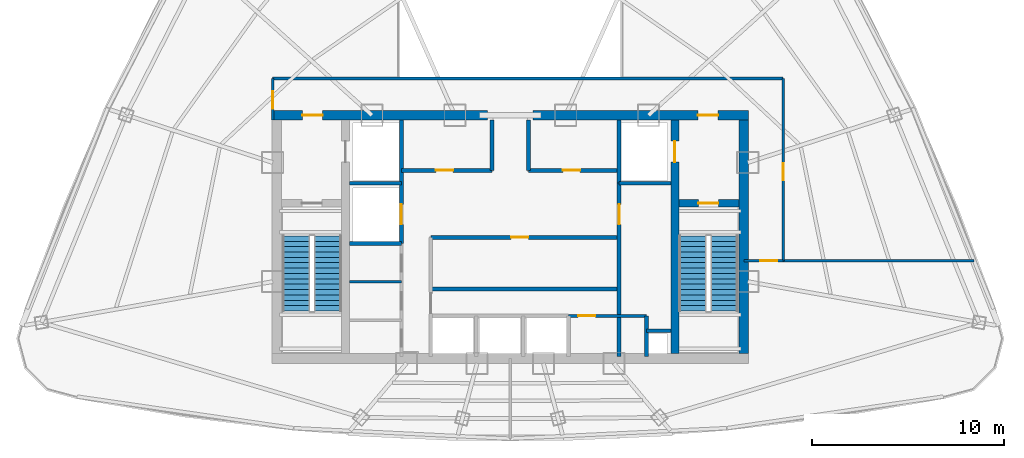
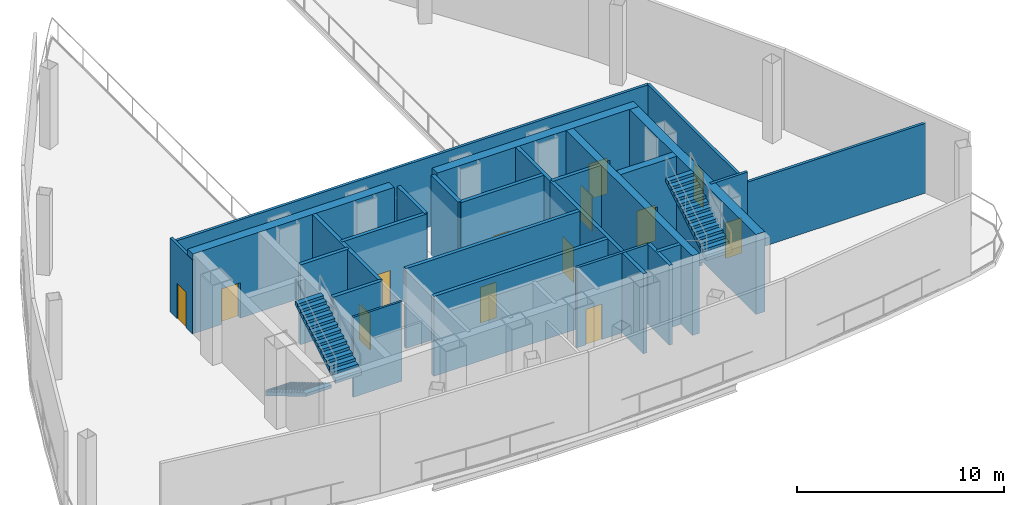
# One storey, part 3 of 6: 26 walls, 13 doors, 4 stair flights, 13 openings, 2 elements without a shape of their own.
"""IFC4 building model written with IfcOpenShell, lengths in metres."""

from ifc_helpers import new_model, si_unit, direction, frame, frame_2d, origin, origin_with_axes, place, context, subcontext, project, spatial, polyline, rectangle, outline, extrude, source, transform, mapped, material, layer, layer_set, type_object, element, fill, aggregate, save


model = new_model("IFC4")

# Units and contexts
model_context = context("Model", 3, precision=1e-05, world=origin(), true_north=direction((0.0, 1.0)))
body_context = subcontext(model_context, "Body", "Model", "MODEL_VIEW")
ifc_project = project(units=[si_unit("LENGTHUNIT", "METRE"), si_unit("AREAUNIT", "SQUARE_METRE"), si_unit("VOLUMEUNIT", "CUBIC_METRE"), si_unit("PLANEANGLEUNIT", "RADIAN"), si_unit("MASSUNIT", "GRAM", prefix="KILO"), si_unit("THERMODYNAMICTEMPERATUREUNIT", "KELVIN"), si_unit("POWERUNIT", "WATT")], contexts=[model_context])

# Site, building, storey
site_placement = place(None, origin())
site = spatial("IfcSite", under=ifc_project, at=site_placement, CompositionType="ELEMENT")
building_placement = place(site_placement, origin())
building = spatial("IfcBuilding", under=site, at=building_placement, Name="Yunzhuo Pagoda Commons", CompositionType="ELEMENT")
storey_placement = place(building_placement, frame((0.0, 0.0, 371.760009765625)))
storey = spatial("IfcBuildingStorey", under=building, at=storey_placement, Name="L93", CompositionType="ELEMENT", Elevation=371.760009765625)

# Wall, opening, door
ifc_material_1 = material(Name="Concrete C50", Category="concrete")
ifc_layer_1 = layer(ifc_material_1, 0.5)
ifc_layer_set_1 = layer_set([ifc_layer_1], Name="Concrete C50")
wall_type_1 = type_object("IfcWallType", Name="W-C03 Upper Core Shear Wall 500", PredefinedType="SHEAR", material=ifc_layer_set_1)
wall_1_placement = place(storey_placement, frame((35.550048828125, 40.199951171875, 0.0), z_axis=(0.0, 0.0, 1.0), x_axis=(1.0, 0.0, 0.0)))
wall_1 = element("IfcWall", 1, at=wall_1_placement, inside=storey, type_object=wall_type_1, Name="L93 core shear wall NW", PredefinedType="SHEAR", context=body_context, shape_type="SweptSolid", body=[
    extrude(rectangle(XDim=11.25, YDim=0.5, at=frame_2d((5.625, 0.0))), origin(), (0.0, 0.0, 1.0), 4.719970703125),
])
opening_1_placement = place(wall_1_placement, frame((1.60009765625, 0.0, 0.0)))
opening_1 = element("IfcOpeningElement", 2, at=opening_1_placement, cuts=wall_1, Name="Opening D-02", PredefinedType="OPENING", context=body_context, shape_type="SweptSolid", body=[
    extrude(rectangle(XDim=1.050048828125, YDim=2.10009765625, at=frame_2d((0.52490234375, 1.050048828125))), frame((0.0, 0.260009765625, 0.0), z_axis=(0.0, -1.0, 0.0), x_axis=(1.0, 0.0, 0.0)), (0.0, 0.0, 1.0), 0.52001953125),
])
ifc_material_2 = material(Name="Galvanized fire-resisting metal leaf")
door_type_1 = type_object("IfcDoorType", Name="D-02 Firefighting Lobby & Refuge Fire Door 1050x2100", OperationType="NOTDEFINED", PredefinedType="DOOR", material=ifc_material_2)
shared_shape_1 = source(origin(), body_context, "Body", "SweptSolid", [
    extrude(rectangle(XDim=1.050048828125, YDim=2.10009765625, at=frame_2d((0.52490234375, 1.050048828125))), frame((0.0, 0.02490234375, 0.0), z_axis=(0.0, -1.0, 0.0), x_axis=(1.0, 0.0, 0.0)), (0.0, 0.0, 1.0), 0.050048828125),
])
door_1_placement = place(opening_1_placement, frame((1.050048828125, 0.0, 0.0), z_axis=(0.0, 0.0, 1.0), x_axis=(-1.0, 0.0, 0.0)))
door_1 = element("IfcDoor", 3, at=door_1_placement, inside=storey, type_object=door_type_1, Name="L93 Firefighting Lobby 1 fire door", OperationType="SINGLE_SWING_LEFT", OverallHeight=2.10009765625, OverallWidth=1.050048828125, PredefinedType="DOOR", context=body_context, shape_type="MappedRepresentation", body=[
    mapped(shared_shape_1, transform((0.0, 0.0, 0.0), scale=1.0)),
])
fill(opening_1, door_1)

wall_2_placement = place(storey_placement, frame((49.199951171875, 40.199951171875, 0.0), z_axis=(0.0, 0.0, 1.0), x_axis=(1.0, 0.0, 0.0)))
wall_2 = element("IfcWall", 4, at=wall_2_placement, inside=storey, type_object=wall_type_1, Name="L93 core shear wall NE", PredefinedType="SHEAR", context=body_context, shape_type="SweptSolid", body=[
    extrude(rectangle(XDim=11.25, YDim=0.5, at=frame_2d((5.625, 0.0))), origin(), (0.0, 0.0, 1.0), 4.719970703125),
])
opening_2_placement = place(wall_2_placement, frame((8.60009765625, 0.0, 0.0)))
opening_2 = element("IfcOpeningElement", 5, at=opening_2_placement, cuts=wall_2, Name="Opening D-02", PredefinedType="OPENING", context=body_context, shape_type="SweptSolid", body=[
    extrude(rectangle(XDim=1.050048828125, YDim=2.10009765625, at=frame_2d((0.52490234375, 1.050048828125))), frame((0.0, 0.260009765625, 0.0), z_axis=(0.0, -1.0, 0.0), x_axis=(1.0, 0.0, 0.0)), (0.0, 0.0, 1.0), 0.52001953125),
])
door_2_placement = place(opening_2_placement, frame((1.050048828125, 0.0, 0.0), z_axis=(0.0, 0.0, 1.0), x_axis=(-1.0, 0.0, 0.0)))
door_2 = element("IfcDoor", 6, at=door_2_placement, inside=storey, type_object=door_type_1, Name="L93 Firefighting Lobby 2 fire door", OperationType="SINGLE_SWING_RIGHT", OverallHeight=2.10009765625, OverallWidth=1.050048828125, PredefinedType="DOOR", context=body_context, shape_type="MappedRepresentation", body=[
    mapped(shared_shape_1, transform((0.0, 0.0, 0.0), scale=1.0)),
])
fill(opening_2, door_2)

# Wall
wall_3_placement = place(storey_placement, frame((60.199951171875, 27.75, 0.0), z_axis=(0.0, 0.0, 1.0), x_axis=(0.0, 1.0, 0.0)))
element("IfcWall", 7, at=wall_3_placement, inside=storey, type_object=wall_type_1, Name="L93 core shear wall E", PredefinedType="SHEAR", context=body_context, shape_type="SweptSolid", body=[
    extrude(rectangle(XDim=12.199951171875, YDim=0.5, at=frame_2d((6.10009765625, 0.0))), origin(), (0.0, 0.0, 1.0), 4.719970703125),
])

# Wall, opening, door
ifc_material_3 = material(Name="Gypsum plasterboard on acoustic stud")
ifc_layer_2 = layer(ifc_material_3, 0.14990234375)
ifc_layer_set_2 = layer_set([ifc_layer_2], Name="Gypsum plasterboard on acoustic stud")
wall_type_2 = type_object("IfcWallType", Name="W-COR3 High-Zone Rated Corridor Wall 150", PredefinedType="PARTITIONING", material=ifc_layer_set_2)
wall_4_placement = place(storey_placement, frame((51.050048828125, 29.719970703125, 0.0), z_axis=(0.0, 0.0, 1.0), x_axis=(1.0, 0.0, 0.0)))
wall_4 = element("IfcWall", 8, at=wall_4_placement, inside=storey, type_object=wall_type_2, Name="L93 interior wall IW-L93-CSES", PredefinedType="PARTITIONING", context=body_context, shape_type="SweptSolid", body=[
    extrude(rectangle(XDim=4.070068359375, YDim=0.14990234375, at=frame_2d((2.03515625, 0.0))), origin(), (0.0, 0.0, 1.0), 4.719970703125),
])
opening_3_placement = place(wall_4_placement, frame((0.5, 0.0, 0.0)))
opening_3 = element("IfcOpeningElement", 9, at=opening_3_placement, cuts=wall_4, Name="Opening D-03", PredefinedType="OPENING", context=body_context, shape_type="SweptSolid", body=[
    extrude(rectangle(XDim=0.89990234375, YDim=2.10009765625, at=frame_2d((0.449951171875, 1.050048828125))), frame((0.0, 0.0849609375, 0.0), z_axis=(0.0, -1.0, 0.0), x_axis=(1.0, 0.0, 0.0)), (0.0, 0.0, 1.0), 0.169921875),
])
door_type_2 = type_object("IfcDoorType", Name="D-03 Core Service Fire Door 900x2100", OperationType="NOTDEFINED", PredefinedType="DOOR", material=ifc_material_2)
shared_shape_2 = source(origin(), body_context, "Body", "SweptSolid", [
    extrude(rectangle(XDim=0.89990234375, YDim=2.10009765625, at=frame_2d((0.449951171875, 1.050048828125))), frame((0.0, 0.02490234375, 0.0), z_axis=(0.0, -1.0, 0.0), x_axis=(1.0, 0.0, 0.0)), (0.0, 0.0, 1.0), 0.050048828125),
])
door_3_placement = place(opening_3_placement, origin_with_axes())
door_3 = element("IfcDoor", 10, at=door_3_placement, inside=storey, type_object=door_type_2, Name="L93 core pantry door", OperationType="SINGLE_SWING_RIGHT", OverallHeight=2.10009765625, OverallWidth=0.89990234375, PredefinedType="DOOR", context=body_context, shape_type="MappedRepresentation", body=[
    mapped(shared_shape_2, transform((0.0, 0.0, 0.0), scale=1.0)),
])
fill(opening_3, door_3)

wall_5_placement = place(storey_placement, frame((35.60009765625, 39.949951171875, 0.0), z_axis=(0.0, 0.0, 1.0), x_axis=(0.0, 1.0, 0.0)))
wall_5 = element("IfcWall", 11, at=wall_5_placement, inside=storey, type_object=wall_type_2, Name="L93 interior wall IW-L93-WPW", PredefinedType="PARTITIONING", context=body_context, shape_type="SweptSolid", body=[
    extrude(rectangle(XDim=2.170166015625, YDim=0.14990234375, at=frame_2d((1.0849609375, 0.0))), origin(), (0.0, 0.0, 1.0), 4.369873046875),
])
opening_4_placement = place(wall_5_placement, frame((0.60009765625, 0.0, 0.0)))
opening_4 = element("IfcOpeningElement", 12, at=opening_4_placement, cuts=wall_5, Name="Opening D-03", PredefinedType="OPENING", context=body_context, shape_type="SweptSolid", body=[
    extrude(rectangle(XDim=0.89990234375, YDim=2.10009765625, at=frame_2d((0.449951171875, 1.050048828125))), frame((0.0, 0.0849609375, 0.0), z_axis=(0.0, -1.0, 0.0), x_axis=(1.0, 0.0, 0.0)), (0.0, 0.0, 1.0), 0.169921875),
])
door_4_placement = place(opening_4_placement, origin_with_axes())
door_4 = element("IfcDoor", 13, at=door_4_placement, inside=storey, type_object=door_type_2, Name="L93 machine room door", OperationType="SINGLE_SWING_LEFT", OverallHeight=2.10009765625, OverallWidth=0.89990234375, PredefinedType="DOOR", context=body_context, shape_type="MappedRepresentation", body=[
    mapped(shared_shape_2, transform((0.0, 0.0, 0.0), scale=1.0)),
])
fill(opening_4, door_4)

# Wall
wall_6_placement = place(storey_placement, frame((35.60009765625, 42.1201171875, 0.0), z_axis=(0.0, 0.0, 1.0), x_axis=(1.0, 0.0, 0.0)))
element("IfcWall", 14, at=wall_6_placement, inside=storey, type_object=wall_type_2, Name="L93 interior wall IW-L93-WPN", PredefinedType="PARTITIONING", context=body_context, shape_type="SweptSolid", body=[
    extrude(rectangle(XDim=26.64990234375, YDim=0.14990234375, at=frame_2d((13.324951171875, 0.0))), origin(), (0.0, 0.0, 1.0), 4.119873046875),
])

# Wall, opening, door
wall_7_placement = place(storey_placement, frame((62.25, 32.60009765625, 0.0), z_axis=(0.0, 0.0, 1.0), x_axis=(0.0, 1.0, 0.0)))
wall_7 = element("IfcWall", 15, at=wall_7_placement, inside=storey, type_object=wall_type_2, Name="L93 interior wall IW-L93-WPE1", PredefinedType="PARTITIONING", context=body_context, shape_type="SweptSolid", body=[
    extrude(rectangle(XDim=9.52001953125, YDim=0.14990234375, at=frame_2d((4.760009765625, 0.0))), origin(), (0.0, 0.0, 1.0), 4.119873046875),
])
opening_5_placement = place(wall_7_placement, frame((4.199951171875, 0.0, 0.0)))
opening_5 = element("IfcOpeningElement", 16, at=opening_5_placement, cuts=wall_7, Name="Opening D-03", PredefinedType="OPENING", context=body_context, shape_type="SweptSolid", body=[
    extrude(rectangle(XDim=0.89990234375, YDim=2.10009765625, at=frame_2d((0.449951171875, 1.050048828125))), frame((0.0, 0.0849609375, 0.0), z_axis=(0.0, -1.0, 0.0), x_axis=(1.0, 0.0, 0.0)), (0.0, 0.0, 1.0), 0.169921875),
])
door_5_placement = place(opening_5_placement, frame((0.89990234375, 0.0, 0.0), z_axis=(0.0, 0.0, 1.0), x_axis=(-1.0, 0.0, 0.0)))
door_5 = element("IfcDoor", 17, at=door_5_placement, inside=storey, type_object=door_type_2, Name="L93 exhaust plant door", OperationType="SINGLE_SWING_RIGHT", OverallHeight=2.10009765625, OverallWidth=0.89990234375, PredefinedType="DOOR", context=body_context, shape_type="MappedRepresentation", body=[
    mapped(shared_shape_2, transform((0.0, 0.0, 0.0), scale=1.0)),
])
fill(opening_5, door_5)

wall_8_placement = place(storey_placement, frame((60.199951171875, 32.60009765625, 0.0), z_axis=(0.0, 0.0, 1.0), x_axis=(1.0, 0.0, 0.0)))
wall_8 = element("IfcWall", 18, at=wall_8_placement, inside=storey, type_object=wall_type_2, Name="L93 interior wall IW-L93-WPES", PredefinedType="PARTITIONING", context=body_context, shape_type="SweptSolid", body=[
    extrude(rectangle(XDim=2.050048828125, YDim=0.14990234375, at=frame_2d((1.02490234375, 0.0))), origin(), (0.0, 0.0, 1.0), 4.719970703125),
])
opening_6_placement = place(wall_8_placement, frame((0.85107421875, 0.0, 0.0)))
opening_6 = element("IfcOpeningElement", 19, at=opening_6_placement, cuts=wall_8, Name="Opening D-03", PredefinedType="OPENING", context=body_context, shape_type="SweptSolid", body=[
    extrude(rectangle(XDim=0.89990234375, YDim=2.10009765625, at=frame_2d((0.449951171875, 1.050048828125))), frame((0.0, 0.0849609375, 0.0), z_axis=(0.0, -1.0, 0.0), x_axis=(1.0, 0.0, 0.0)), (0.0, 0.0, 1.0), 0.169921875),
])
door_6_placement = place(opening_6_placement, origin_with_axes())
door_6 = element("IfcDoor", 20, at=door_6_placement, inside=storey, type_object=door_type_2, Name="L93 switchgear plant door", OperationType="SINGLE_SWING_RIGHT", OverallHeight=2.10009765625, OverallWidth=0.89990234375, PredefinedType="DOOR", context=body_context, shape_type="MappedRepresentation", body=[
    mapped(shared_shape_2, transform((0.0, 0.0, 0.0), scale=1.0)),
])
fill(opening_6, door_6)

# Walls
wall_9_placement = place(storey_placement, frame((62.25, 32.60009765625, 0.0), z_axis=(0.0, 0.0, 1.0), x_axis=(1.0, 0.0, 0.0)))
element("IfcWall", 21, at=wall_9_placement, inside=storey, type_object=wall_type_2, Name="L93 interior wall IW-L93-WPEDIV", PredefinedType="PARTITIONING", context=body_context, shape_type="SweptSolid", body=[
    extrude(rectangle(XDim=9.97021484375, YDim=0.14990234375, at=frame_2d((4.985107421875, 0.0))), origin(), (0.0, 0.0, 1.0), 4.119873046875),
])
ifc_layer_3 = layer(ifc_material_3, 0.1201171875)
ifc_layer_set_3 = layer_set([ifc_layer_3], Name="Gypsum plasterboard on acoustic stud")
wall_type_3 = type_object("IfcWallType", Name="W-PRT1 Suite & Bathroom Partition 120", PredefinedType="PARTITIONING", material=ifc_layer_set_3)
wall_10_placement = place(storey_placement, frame((39.60009765625, 31.5, 0.0), z_axis=(0.0, 0.0, 1.0), x_axis=(1.0, 0.0, 0.0)))
element("IfcWall", 22, at=wall_10_placement, inside=storey, type_object=wall_type_3, Name="L93 interior wall IW-L93-CC2", PredefinedType="PARTITIONING", context=body_context, shape_type="SweptSolid", body=[
    extrude(rectangle(XDim=2.719970703125, YDim=0.1201171875, at=frame_2d((1.35986328125, 0.0))), origin(), (0.0, 0.0, 1.0), 4.719970703125),
])

# Wall, opening, door
ifc_material_4 = material(Name="Concrete C60", Category="concrete")
ifc_layer_4 = layer(ifc_material_4, 0.39990234375)
ifc_layer_set_4 = layer_set([ifc_layer_4], Name="Concrete C60")
wall_type_4 = type_object("IfcWallType", Name="W-S01 Internal Core Shear Web 400", PredefinedType="SHEAR", material=ifc_layer_set_4)
wall_11_placement = place(storey_placement, frame((56.60009765625, 27.75, 0.0), z_axis=(0.0, 0.0, 1.0), x_axis=(0.0, 1.0, 0.0)))
wall_11 = element("IfcWall", 23, at=wall_11_placement, inside=storey, type_object=wall_type_4, Name="L93 core shear wall WEBE", PredefinedType="SHEAR", context=body_context, shape_type="SweptSolid", body=[
    extrude(rectangle(XDim=12.199951171875, YDim=0.39990234375, at=frame_2d((6.10009765625, 0.0))), origin(), (0.0, 0.0, 1.0), 4.719970703125),
])
opening_7_placement = place(wall_11_placement, frame((10.0, 0.0, 0.0)))
opening_7 = element("IfcOpeningElement", 24, at=opening_7_placement, cuts=wall_11, Name="Opening LD-01", PredefinedType="OPENING", context=body_context, shape_type="SweptSolid", body=[
    extrude(rectangle(XDim=1.10009765625, YDim=2.10009765625, at=frame_2d((0.550048828125, 1.050048828125))), frame((0.0, 0.2099609375, 0.0), z_axis=(0.0, -1.0, 0.0), x_axis=(1.0, 0.0, 0.0)), (0.0, 0.0, 1.0), 0.419921875),
])
door_type_3 = type_object("IfcDoorType", Name="LD-01 Firefighting Lift Landing Door 1100x2100", OperationType="DOUBLE_DOOR_SLIDING", PredefinedType="DOOR", material=ifc_material_2)
shared_shape_3 = source(origin(), body_context, "Body", "SweptSolid", [
    extrude(rectangle(XDim=1.10009765625, YDim=2.10009765625, at=frame_2d((0.550048828125, 1.050048828125))), frame((0.0, 0.02490234375, 0.0), z_axis=(0.0, -1.0, 0.0), x_axis=(1.0, 0.0, 0.0)), (0.0, 0.0, 1.0), 0.050048828125),
])
door_7_placement = place(opening_7_placement, origin_with_axes())
door_7 = element("IfcDoor", 25, at=door_7_placement, inside=storey, type_object=door_type_3, Name="L93 Firefighting lift FL-2 landing door", OperationType="DOUBLE_DOOR_SLIDING", OverallHeight=2.10009765625, OverallWidth=1.10009765625, PredefinedType="DOOR", context=body_context, shape_type="MappedRepresentation", body=[
    mapped(shared_shape_3, transform((0.0, 0.0, 0.0), scale=1.0)),
])
fill(opening_7, door_7)

wall_12_placement = place(storey_placement, frame((56.800048828125, 35.60009765625, 0.0), z_axis=(0.0, 0.0, 1.0), x_axis=(1.0, 0.0, 0.0)))
wall_12 = element("IfcWall", 26, at=wall_12_placement, inside=storey, type_object=wall_type_4, Name="L93 core shear wall STE", PredefinedType="SHEAR", context=body_context, shape_type="SweptSolid", body=[
    extrude(rectangle(XDim=3.14990234375, YDim=0.39990234375, at=frame_2d((1.574951171875, 0.0))), origin(), (0.0, 0.0, 1.0), 4.719970703125),
])
opening_8_placement = place(wall_12_placement, frame((1.02001953125, 0.0, 0.0)))
opening_8 = element("IfcOpeningElement", 27, at=opening_8_placement, cuts=wall_12, Name="Opening D-01", PredefinedType="OPENING", context=body_context, shape_type="SweptSolid", body=[
    extrude(rectangle(XDim=1.050048828125, YDim=2.10009765625, at=frame_2d((0.52490234375, 1.050048828125))), frame((0.0, 0.2099609375, 0.0), z_axis=(0.0, -1.0, 0.0), x_axis=(1.0, 0.0, 0.0)), (0.0, 0.0, 1.0), 0.419921875),
])
door_type_4 = type_object("IfcDoorType", Name="D-01 Smokeproof Stair Fire Door 1050x2100", OperationType="NOTDEFINED", PredefinedType="DOOR", material=ifc_material_2)
door_8_placement = place(opening_8_placement, frame((1.050048828125, 0.0, 0.0), z_axis=(0.0, 0.0, 1.0), x_axis=(-1.0, 0.0, 0.0)))
door_8 = element("IfcDoor", 28, at=door_8_placement, inside=storey, type_object=door_type_4, Name="L93 Stair ST2 fire door", OperationType="SINGLE_SWING_RIGHT", OverallHeight=2.10009765625, OverallWidth=1.050048828125, PredefinedType="DOOR", context=body_context, shape_type="MappedRepresentation", body=[
    mapped(shared_shape_1, transform((0.0, 0.0, 0.0), scale=1.0)),
])
fill(opening_8, door_8)

ifc_material_5 = material(Name="Concrete C40", Category="concrete")
ifc_layer_5 = layer(ifc_material_5, 0.199951171875)
ifc_layer_set_5 = layer_set([ifc_layer_5], Name="Concrete C40")
wall_type_5 = type_object("IfcWallType", Name="W-SHF Shaft & Stair Enclosure Wall 200", PredefinedType="SOLIDWALL", material=ifc_layer_set_5)
wall_13_placement = place(storey_placement, frame((42.320068359375, 33.5, 0.0), z_axis=(0.0, 0.0, 1.0), x_axis=(0.0, 1.0, 0.0)))
wall_13 = element("IfcWall", 29, at=wall_13_placement, inside=storey, type_object=wall_type_5, Name="L93 interior wall IW-L93-FL1E", PredefinedType="SOLIDWALL", context=body_context, shape_type="SweptSolid", body=[
    extrude(rectangle(XDim=6.449951171875, YDim=0.199951171875, at=frame_2d((3.22509765625, 0.0))), origin(), (0.0, 0.0, 1.0), 4.719970703125),
])
opening_9_placement = place(wall_13_placement, frame((1.0, 0.0, 0.0)))
opening_9 = element("IfcOpeningElement", 30, at=opening_9_placement, cuts=wall_13, Name="Opening LD-02", PredefinedType="OPENING", context=body_context, shape_type="SweptSolid", body=[
    extrude(rectangle(XDim=1.050048828125, YDim=2.10009765625, at=frame_2d((0.52490234375, 1.050048828125))), frame((0.0, 0.10986328125, 0.0), z_axis=(0.0, -1.0, 0.0), x_axis=(1.0, 0.0, 0.0)), (0.0, 0.0, 1.0), 0.219970703125),
])
door_type_5 = type_object("IfcDoorType", Name="LD-02 Passenger Lift Landing Door 1050x2100", OperationType="DOUBLE_DOOR_SLIDING", PredefinedType="DOOR", material=ifc_material_2)
door_9_placement = place(opening_9_placement, origin_with_axes())
door_9 = element("IfcDoor", 31, at=door_9_placement, inside=storey, type_object=door_type_5, Name="L93 Service lift SL-1 landing door", OperationType="DOUBLE_DOOR_SLIDING", OverallHeight=2.10009765625, OverallWidth=1.050048828125, PredefinedType="DOOR", context=body_context, shape_type="MappedRepresentation", body=[
    mapped(shared_shape_1, transform((0.0, 0.0, 0.0), scale=1.0)),
])
fill(opening_9, door_9)

# Walls
for number, where, z_axis, x_axis, name in (
    (32, (39.60009765625, 36.64990234375, 0.0), (0.0, 0.0, 1.0), (1.0, 0.0, 0.0), "L93 interior wall IW-L93-FL1S"),
    (33, (39.60009765625, 33.5, 0.0), (0.0, 0.0, 1.0), (1.0, 0.0, 0.0), "L93 interior wall IW-L93-SL1S"),
):
    element("IfcWall", number, at=place(storey_placement, frame(where, z_axis=z_axis, x_axis=x_axis)), inside=storey, type_object=wall_type_5, Name=name, PredefinedType="SOLIDWALL", context=body_context, shape_type="SweptSolid", body=[
        extrude(rectangle(XDim=2.719970703125, YDim=0.199951171875, at=frame_2d((1.35986328125, 0.0))), origin(), (0.0, 0.0, 1.0), 4.719970703125),
    ])
wall_14_placement = place(storey_placement, frame((53.679931640625, 36.64990234375, 0.0), z_axis=(0.0, 0.0, 1.0), x_axis=(0.0, 1.0, 0.0)))
element("IfcWall", 34, at=wall_14_placement, inside=storey, type_object=wall_type_5, Name="L93 interior wall IW-L93-FL2W", PredefinedType="SOLIDWALL", context=body_context, shape_type="SweptSolid", body=[
    extrude(rectangle(XDim=3.300048828125, YDim=0.199951171875, at=frame_2d((1.64990234375, 0.0))), origin(), (0.0, 0.0, 1.0), 4.719970703125),
])
wall_15_placement = place(storey_placement, frame((53.679931640625, 36.64990234375, 0.0), z_axis=(0.0, 0.0, 1.0), x_axis=(1.0, 0.0, 0.0)))
element("IfcWall", 35, at=wall_15_placement, inside=storey, type_object=wall_type_5, Name="L93 interior wall IW-L93-FL2S", PredefinedType="SOLIDWALL", context=body_context, shape_type="SweptSolid", body=[
    extrude(rectangle(XDim=2.719970703125, YDim=0.199951171875, at=frame_2d((1.35986328125, 0.0))), origin(), (0.0, 0.0, 1.0), 4.719970703125),
])

# Wall, opening, door
wall_16_placement = place(storey_placement, frame((42.320068359375, 37.320068359375, 0.0), z_axis=(0.0, 0.0, 1.0), x_axis=(1.0, 0.0, 0.0)))
wall_16 = element("IfcWall", 36, at=wall_16_placement, inside=storey, type_object=wall_type_5, Name="L93 interior wall IW-L93-LBNW", PredefinedType="SOLIDWALL", context=body_context, shape_type="SweptSolid", body=[
    extrude(rectangle(XDim=4.72998046875, YDim=0.199951171875, at=frame_2d((2.364990234375, 0.0))), origin(), (0.0, 0.0, 1.0), 4.719970703125),
])
opening_10_placement = place(wall_16_placement, frame((1.800048828125, 0.0, 0.0)))
opening_10 = element("IfcOpeningElement", 37, at=opening_10_placement, cuts=wall_16, Name="Opening D-03", PredefinedType="OPENING", context=body_context, shape_type="SweptSolid", body=[
    extrude(rectangle(XDim=0.89990234375, YDim=2.10009765625, at=frame_2d((0.449951171875, 1.050048828125))), frame((0.0, 0.10986328125, 0.0), z_axis=(0.0, -1.0, 0.0), x_axis=(1.0, 0.0, 0.0)), (0.0, 0.0, 1.0), 0.219970703125),
])
door_10_placement = place(opening_10_placement, frame((0.89990234375, 0.0, 0.0), z_axis=(0.0, 0.0, 1.0), x_axis=(-1.0, 0.0, 0.0)))
door_10 = element("IfcDoor", 38, at=door_10_placement, inside=storey, type_object=door_type_2, Name="L93 core west store door", OperationType="SINGLE_SWING_LEFT", OverallHeight=2.10009765625, OverallWidth=0.89990234375, PredefinedType="DOOR", context=body_context, shape_type="MappedRepresentation", body=[
    mapped(shared_shape_2, transform((0.0, 0.0, 0.0), scale=1.0)),
])
fill(opening_10, door_10)

wall_17_placement = place(storey_placement, frame((48.949951171875, 37.320068359375, 0.0), z_axis=(0.0, 0.0, 1.0), x_axis=(1.0, 0.0, 0.0)))
wall_17 = element("IfcWall", 39, at=wall_17_placement, inside=storey, type_object=wall_type_5, Name="L93 interior wall IW-L93-LBNE", PredefinedType="SOLIDWALL", context=body_context, shape_type="SweptSolid", body=[
    extrude(rectangle(XDim=4.72998046875, YDim=0.199951171875, at=frame_2d((2.364990234375, 0.0))), origin(), (0.0, 0.0, 1.0), 4.719970703125),
])
opening_11_placement = place(wall_17_placement, frame((1.800048828125, 0.0, 0.0)))
opening_11 = element("IfcOpeningElement", 40, at=opening_11_placement, cuts=wall_17, Name="Opening D-03", PredefinedType="OPENING", context=body_context, shape_type="SweptSolid", body=[
    extrude(rectangle(XDim=0.89990234375, YDim=2.10009765625, at=frame_2d((0.449951171875, 1.050048828125))), frame((0.0, 0.10986328125, 0.0), z_axis=(0.0, -1.0, 0.0), x_axis=(1.0, 0.0, 0.0)), (0.0, 0.0, 1.0), 0.219970703125),
])
door_11_placement = place(opening_11_placement, frame((0.89990234375, 0.0, 0.0), z_axis=(0.0, 0.0, 1.0), x_axis=(-1.0, 0.0, 0.0)))
door_11 = element("IfcDoor", 41, at=door_11_placement, inside=storey, type_object=door_type_2, Name="L93 core east store door", OperationType="SINGLE_SWING_RIGHT", OverallHeight=2.10009765625, OverallWidth=0.89990234375, PredefinedType="DOOR", context=body_context, shape_type="MappedRepresentation", body=[
    mapped(shared_shape_2, transform((0.0, 0.0, 0.0), scale=1.0)),
])
fill(opening_11, door_11)

# Walls
for number, where, z_axis, x_axis, name in (
    (42, (47.050048828125, 37.320068359375, 0.0), (0.0, 0.0, 1.0), (0.0, 1.0, 0.0), "L93 interior wall IW-L93-THRW"),
    (43, (48.949951171875, 37.320068359375, 0.0), (0.0, 0.0, 1.0), (0.0, 1.0, 0.0), "L93 interior wall IW-L93-THRE"),
):
    element("IfcWall", number, at=place(storey_placement, frame(where, z_axis=z_axis, x_axis=x_axis)), inside=storey, type_object=wall_type_5, Name=name, PredefinedType="SOLIDWALL", context=body_context, shape_type="SweptSolid", body=[
        extrude(rectangle(XDim=2.6298828125, YDim=0.199951171875, at=frame_2d((1.31494140625, 0.0))), origin(), (0.0, 0.0, 1.0), 4.719970703125),
    ])

# Wall, opening, door
wall_18_placement = place(storey_placement, frame((43.85009765625, 33.820068359375, 0.0), z_axis=(0.0, 0.0, 1.0), x_axis=(1.0, 0.0, 0.0)))
wall_18 = element("IfcWall", 44, at=wall_18_placement, inside=storey, type_object=wall_type_5, Name="L93 interior wall IW-L93-MLBS", PredefinedType="SOLIDWALL", context=body_context, shape_type="SweptSolid", body=[
    extrude(rectangle(XDim=9.829833984375, YDim=0.199951171875, at=frame_2d((4.9150390625, 0.0))), origin(), (0.0, 0.0, 1.0), 4.719970703125),
])
opening_12_placement = place(wall_18_placement, frame((4.199951171875, 0.0, 0.0)))
opening_12 = element("IfcOpeningElement", 45, at=opening_12_placement, cuts=wall_18, Name="Opening D-03", PredefinedType="OPENING", context=body_context, shape_type="SweptSolid", body=[
    extrude(rectangle(XDim=0.89990234375, YDim=2.10009765625, at=frame_2d((0.449951171875, 1.050048828125))), frame((0.0, 0.10986328125, 0.0), z_axis=(0.0, -1.0, 0.0), x_axis=(1.0, 0.0, 0.0)), (0.0, 0.0, 1.0), 0.219970703125),
])
door_12_placement = place(opening_12_placement, origin_with_axes())
door_12 = element("IfcDoor", 46, at=door_12_placement, inside=storey, type_object=door_type_2, Name="L93 core archive store door", OperationType="SINGLE_SWING_LEFT", OverallHeight=2.10009765625, OverallWidth=0.89990234375, PredefinedType="DOOR", context=body_context, shape_type="MappedRepresentation", body=[
    mapped(shared_shape_2, transform((0.0, 0.0, 0.0), scale=1.0)),
])
fill(opening_12, door_12)

wall_19_placement = place(storey_placement, frame((53.679931640625, 27.60009765625, 0.0), z_axis=(0.0, 0.0, 1.0), x_axis=(0.0, 1.0, 0.0)))
wall_19 = element("IfcWall", 47, at=wall_19_placement, inside=storey, type_object=wall_type_5, Name="L93 interior wall IW-L93-PLME", PredefinedType="SOLIDWALL", context=body_context, shape_type="SweptSolid", body=[
    extrude(rectangle(XDim=9.0498046875, YDim=0.199951171875, at=frame_2d((4.52490234375, 0.0))), origin(), (0.0, 0.0, 1.0), 4.719970703125),
])
opening_13_placement = place(wall_19_placement, frame((6.89990234375, 0.0, 0.0)))
opening_13 = element("IfcOpeningElement", 48, at=opening_13_placement, cuts=wall_19, Name="Opening D-02", PredefinedType="OPENING", context=body_context, shape_type="SweptSolid", body=[
    extrude(rectangle(XDim=1.050048828125, YDim=2.10009765625, at=frame_2d((0.52490234375, 1.050048828125))), frame((0.0, 0.10986328125, 0.0), z_axis=(0.0, -1.0, 0.0), x_axis=(1.0, 0.0, 0.0)), (0.0, 0.0, 1.0), 0.219970703125),
])
door_13_placement = place(opening_13_placement, origin_with_axes())
door_13 = element("IfcDoor", 49, at=door_13_placement, inside=storey, type_object=door_type_1, Name="L93 High-bank lift hall door", OperationType="SINGLE_SWING_RIGHT", OverallHeight=2.10009765625, OverallWidth=1.050048828125, PredefinedType="DOOR", context=body_context, shape_type="MappedRepresentation", body=[
    mapped(shared_shape_1, transform((0.0, 0.0, 0.0), scale=1.0)),
])
fill(opening_13, door_13)

# Walls
wall_20_placement = place(storey_placement, frame((43.85009765625, 31.1201171875, 0.0), z_axis=(0.0, 0.0, 1.0), x_axis=(1.0, 0.0, 0.0)))
element("IfcWall", 50, at=wall_20_placement, inside=storey, type_object=wall_type_5, Name="L93 interior wall IW-L93-PLMS2", PredefinedType="SOLIDWALL", context=body_context, shape_type="SweptSolid", body=[
    extrude(rectangle(XDim=9.829833984375, YDim=0.199951171875, at=frame_2d((4.9150390625, 0.0))), origin(), (0.0, 0.0, 1.0), 4.719970703125),
])
wall_21_placement = place(storey_placement, frame((55.1201171875, 27.60009765625, 0.0), z_axis=(0.0, 0.0, 1.0), x_axis=(0.0, 1.0, 0.0)))
element("IfcWall", 51, at=wall_21_placement, inside=storey, type_object=wall_type_5, Name="L93 interior wall IW-L93-RSHFW", PredefinedType="SOLIDWALL", context=body_context, shape_type="SweptSolid", body=[
    extrude(rectangle(XDim=2.119873046875, YDim=0.199951171875, at=frame_2d((1.06005859375, 0.0))), origin(), (0.0, 0.0, 1.0), 4.719970703125),
])
wall_22_placement = place(storey_placement, frame((55.1201171875, 28.949951171875, 0.0), z_axis=(0.0, 0.0, 1.0), x_axis=(1.0, 0.0, 0.0)))
element("IfcWall", 52, at=wall_22_placement, inside=storey, type_object=wall_type_5, Name="L93 interior wall IW-L93-RSHFN", PredefinedType="SOLIDWALL", context=body_context, shape_type="SweptSolid", body=[
    extrude(rectangle(XDim=1.27978515625, YDim=0.199951171875, at=frame_2d((0.639892578125, 0.0))), origin(), (0.0, 0.0, 1.0), 4.719970703125),
])

# Stair, stair flights
stair_type_1 = type_object("IfcStairType", Name="ST-C1 Core Smokeproof Stair ST1", PredefinedType="HALF_TURN_STAIR", material=ifc_material_5)
stair_1_placement = place(storey_placement, origin())
stair_1 = element("IfcStair", 53, at=stair_1_placement, inside=storey, type_object=stair_type_1, Name="L93 Core smokeproof stair ST1", PredefinedType="HALF_TURN_STAIR")
stair_flight_type_1 = type_object("IfcStairFlightType", Name="STF-C1 Core Stair Flight 1450", PredefinedType="STRAIGHT", material=ifc_material_5)
shared_shape_4 = source(origin(), body_context, "Body", "SweptSolid", [
    extrude(outline(polyline([(0.0, -0.14990234375), (0.0, 0.0), (0.0, 0.166748046875), (0.280029296875, 0.166748046875), (0.280029296875, 0.333251953125), (0.56005859375, 0.333251953125), (0.56005859375, 0.5), (0.840087890625, 0.5), (0.840087890625, 0.666748046875), (1.1201171875, 0.666748046875), (1.1201171875, 0.833251953125), (1.39990234375, 0.833251953125), (1.39990234375, 1.0), (1.679931640625, 1.0), (1.679931640625, 1.166748046875), (1.9599609375, 1.166748046875), (1.9599609375, 1.333251953125), (2.239990234375, 1.333251953125), (2.239990234375, 1.5), (2.52001953125, 1.5), (2.52001953125, 1.666748046875), (2.800048828125, 1.666748046875), (2.800048828125, 1.833251953125), (3.080078125, 1.833251953125), (3.080078125, 2.0), (3.360107421875, 2.0), (3.360107421875, 2.166748046875), (3.639892578125, 2.166748046875), (3.639892578125, 2.333251953125), (3.919921875, 2.333251953125), (3.919921875, 2.5), (3.919921875, 2.158935546875), (0.29296875, 0.0), (0.050048828125, -0.14990234375), (0.0, -0.14990234375)])), frame((0.0, 0.72509765625, 0.0), z_axis=(0.0, -1.0, 0.0), x_axis=(1.0, 0.0, 0.0)), (0.0, 0.0, 1.0), 1.449951171875),
])
stair_flight_1_placement = place(storey_placement, frame((36.824951171875, 33.89990234375, 0.0), z_axis=(0.0, 0.0, 1.0), x_axis=(0.0, -1.0, 0.0)))
stair_flight_1 = element("IfcStairFlight", 54, at=stair_flight_1_placement, type_object=stair_flight_type_1, Name="ST1 flight 1", NumberOfRisers=15, NumberOfTreads=14, PredefinedType="STRAIGHT", RiserHeight=0.166666667, TreadLength=0.28, context=body_context, shape_type="MappedRepresentation", body=[
    mapped(shared_shape_4, transform((0.0, 0.0, 0.0), scale=1.0)),
])
stair_flight_2_placement = place(storey_placement, frame((38.47509765625, 29.97998046875, 2.5), z_axis=(0.0, 0.0, 1.0), x_axis=(0.0, 1.0, 0.0)))
stair_flight_2 = element("IfcStairFlight", 55, at=stair_flight_2_placement, type_object=stair_flight_type_1, Name="ST1 flight 2", NumberOfRisers=15, NumberOfTreads=14, PredefinedType="STRAIGHT", RiserHeight=0.166666667, TreadLength=0.28, context=body_context, shape_type="MappedRepresentation", body=[
    mapped(shared_shape_4, transform((0.0, 0.0, 0.0), scale=1.0)),
])
aggregate(stair_1, [stair_flight_1, stair_flight_2])

stair_type_2 = type_object("IfcStairType", Name="ST-C2 Core Smokeproof Stair ST2", PredefinedType="HALF_TURN_STAIR", material=ifc_material_5)
stair_2_placement = place(storey_placement, origin())
stair_2 = element("IfcStair", 56, at=stair_2_placement, inside=storey, type_object=stair_type_2, Name="L93 Core smokeproof stair ST2", PredefinedType="HALF_TURN_STAIR")
stair_flight_type_2 = type_object("IfcStairFlightType", Name="STF-C2 Core Stair Flight 1460", PredefinedType="STRAIGHT", material=ifc_material_5)
stair_flight_3_placement = place(storey_placement, frame((57.52490234375, 33.89990234375, 0.0), z_axis=(0.0, 0.0, 1.0), x_axis=(0.0, -1.0, 0.0)))
stair_flight_3 = element("IfcStairFlight", 57, at=stair_flight_3_placement, type_object=stair_flight_type_2, Name="ST2 flight 1", NumberOfRisers=15, NumberOfTreads=14, PredefinedType="STRAIGHT", RiserHeight=0.166666667, TreadLength=0.28, context=body_context, shape_type="MappedRepresentation", body=[
    mapped(shared_shape_4, transform((0.0, 0.0, 0.0), scale=1.0)),
])
stair_flight_4_placement = place(storey_placement, frame((59.175048828125, 29.97998046875, 2.5), z_axis=(0.0, 0.0, 1.0), x_axis=(0.0, 1.0, 0.0)))
stair_flight_4 = element("IfcStairFlight", 58, at=stair_flight_4_placement, type_object=stair_flight_type_2, Name="ST2 flight 2", NumberOfRisers=15, NumberOfTreads=14, PredefinedType="STRAIGHT", RiserHeight=0.166666667, TreadLength=0.28, context=body_context, shape_type="MappedRepresentation", body=[
    mapped(shared_shape_4, transform((0.0, 0.0, 0.0), scale=1.0)),
])
aggregate(stair_2, [stair_flight_3, stair_flight_4])

save(model, "model.ifc")
